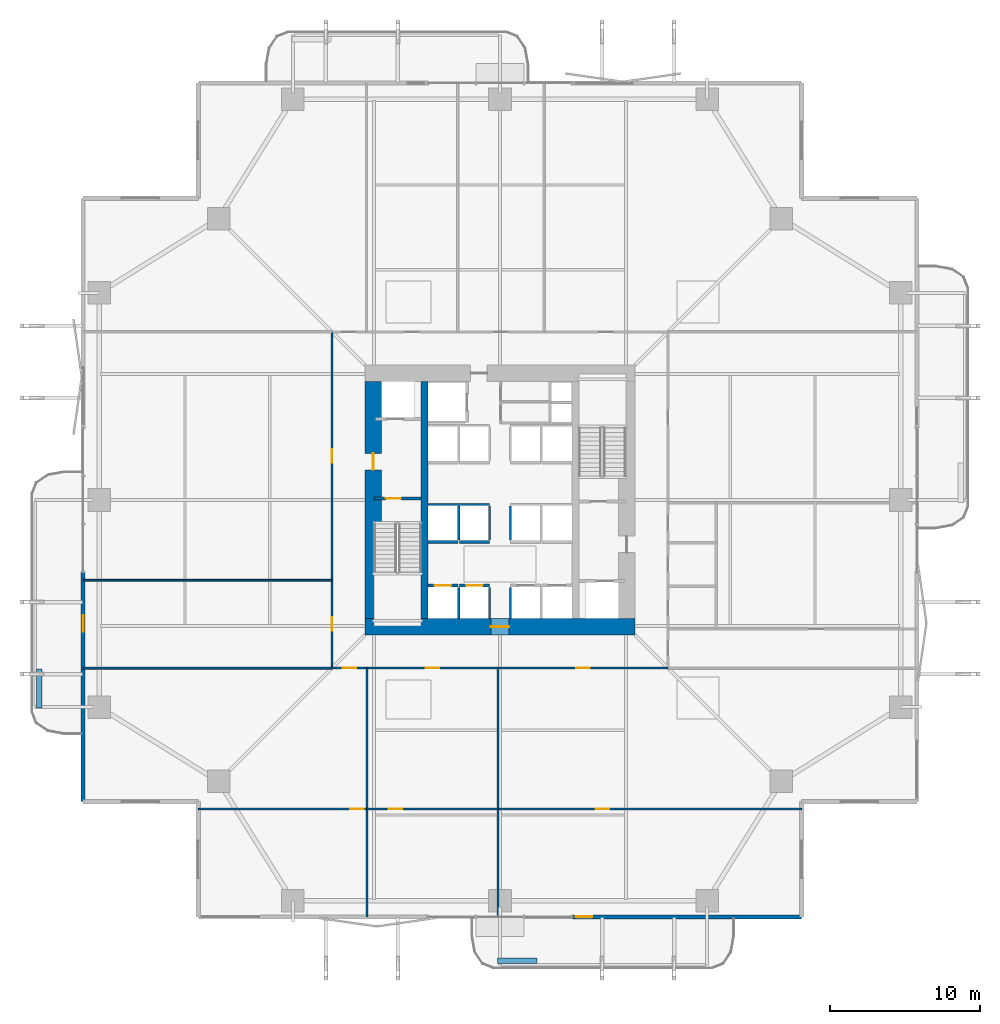
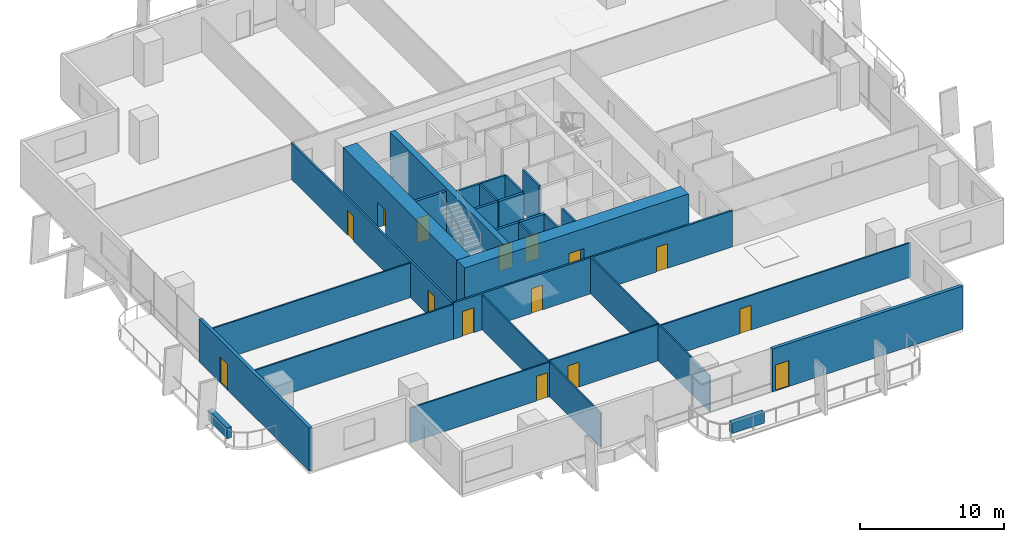
# One storey, part 17 of 24: 28 walls, 15 doors, 15 openings.
"""IFC4 building model written with IfcOpenShell, lengths in metres."""

from ifc_helpers import new_model, si_unit, direction, frame, frame_2d, origin, place, context, subcontext, project, spatial, rectangle, extrude, material, layer, layer_set, type_object, element, fill, save


model = new_model("IFC4")

# Units and contexts
model_context = context("Model", 3, precision=1e-05, world=origin(), true_north=direction((0.0, 1.0)))
body_context = subcontext(model_context, "Body", "Model", "MODEL_VIEW")
ifc_project = project(units=[si_unit("LENGTHUNIT", "METRE"), si_unit("AREAUNIT", "SQUARE_METRE"), si_unit("VOLUMEUNIT", "CUBIC_METRE"), si_unit("PLANEANGLEUNIT", "RADIAN"), si_unit("MASSUNIT", "GRAM", prefix="KILO")], contexts=[model_context])

# Site, building, storey
site_placement = place(None, origin())
site = spatial("IfcSite", under=ifc_project, at=site_placement, CompositionType="ELEMENT")
building_placement = place(site_placement, origin())
building = spatial("IfcBuilding", under=site, at=building_placement, Name="Belovzor Exchange Tower", CompositionType="ELEMENT")
storey_placement = place(building_placement, frame((0.0, 0.0, 33.89990234375)))
storey = spatial("IfcBuildingStorey", under=building, at=storey_placement, Name="L07", CompositionType="ELEMENT", Elevation=33.89990234375)

# Wall, opening, door
ifc_material_1 = material(Name="Acoustic Plasterboard on Galvanised Studs", Category="gypsum")
ifc_layer_1 = layer(ifc_material_1, 0.1201171875)
ifc_layer_set_1 = layer_set([ifc_layer_1], Name="Acoustic Plasterboard on Galvanised Studs")
wall_type_1 = type_object("IfcWallType", Name="Acoustic Double-Stud Partition Wall 120", PredefinedType="PARTITIONING", material=ifc_layer_set_1)
wall_1_placement = place(storey_placement, frame((8.699951171875, 8.2119140625, 0.0), z_axis=(0.0, 0.0, 1.0), x_axis=(1.0, 0.0, 0.0)))
wall_1 = element("IfcWall", 1, at=wall_1_placement, inside=storey, type_object=wall_type_1, Name="W-P120 Partition Wall W-L07-SHDIV-0", PredefinedType="PARTITIONING", context=body_context, shape_type="SweptSolid", body=[
    extrude(rectangle(XDim=11.239013671875, YDim=0.1201171875, at=frame_2d((5.61962890625, 0.0))), origin(), (0.0, 0.0, 1.0), 2.93505859375),
])
opening_1_placement = place(wall_1_placement, frame((10.138916015625, 0.0, 0.0)))
opening_1 = element("IfcOpeningElement", 2, at=opening_1_placement, cuts=wall_1, Name="Opening D-INT-090", PredefinedType="OPENING", context=body_context, shape_type="SweptSolid", body=[
    extrude(rectangle(XDim=0.89990234375, YDim=2.10009765625, at=frame_2d((0.449951171875, 1.050048828125))), frame((0.0, 0.070068359375, 0.0), z_axis=(0.0, -1.0, 0.0), x_axis=(1.0, 0.0, 0.0)), (0.0, 0.0, 1.0), 0.14013671875),
])
ifc_material_2 = material(Name="Veneered Hardwood Acoustic Leaf", Category="wood")
door_type_1 = type_object("IfcDoorType", Name="Trading Suite Acoustic Single Door 900x2100", OperationType="NOTDEFINED", PredefinedType="DOOR", material=ifc_material_2)
door_1_placement = place(opening_1_placement, origin())
door_1 = element("IfcDoor", 3, at=door_1_placement, inside=storey, type_object=door_type_1, Name="D-INT-090 Trading Suite Acoustic Single Door 900x2100", OperationType="SINGLE_SWING_LEFT", OverallHeight=2.10009765625, OverallWidth=0.89990234375, PredefinedType="DOOR", context=body_context, shape_type="SweptSolid", body=[
    extrude(rectangle(XDim=0.89990234375, YDim=2.10009765625, at=frame_2d((0.449951171875, 1.050048828125))), frame((0.0, 0.02490234375, 0.0), z_axis=(0.0, -1.0, 0.0), x_axis=(1.0, 0.0, 0.0)), (0.0, 0.0, 1.0), 0.050048828125),
])
fill(opening_1, door_1)

# Wall
wall_2_placement = place(storey_placement, frame((19.93896484375, 1.030029296875, 0.0), z_axis=(0.0, 0.0, 1.0), x_axis=(0.0, 1.0, 0.0)))
element("IfcWall", 4, at=wall_2_placement, inside=storey, type_object=wall_type_1, Name="W-P120 Partition Wall W-L07-SDIV-1", PredefinedType="PARTITIONING", context=body_context, shape_type="SweptSolid", body=[
    extrude(rectangle(XDim=16.570068359375, YDim=0.1201171875, at=frame_2d((8.28515625, 0.0))), origin(), (0.0, 0.0, 1.0), 2.93505859375),
])

# Wall, opening, door
wall_3_placement = place(storey_placement, frame((19.93896484375, 8.2119140625, 0.0), z_axis=(0.0, 0.0, 1.0), x_axis=(1.0, 0.0, 0.0)))
wall_3 = element("IfcWall", 5, at=wall_3_placement, inside=storey, type_object=wall_type_1, Name="W-P120 Partition Wall W-L07-SHDIV-1", PredefinedType="PARTITIONING", context=body_context, shape_type="SweptSolid", body=[
    extrude(rectangle(XDim=8.73095703125, YDim=0.1201171875, at=frame_2d((4.365478515625, 0.0))), origin(), (0.0, 0.0, 1.0), 3.085205078125),
])
opening_2_placement = place(wall_3_placement, frame((1.43896484375, 0.0, 0.0)))
opening_2 = element("IfcOpeningElement", 6, at=opening_2_placement, cuts=wall_3, Name="Opening D-INT-090", PredefinedType="OPENING", context=body_context, shape_type="SweptSolid", body=[
    extrude(rectangle(XDim=0.89990234375, YDim=2.10009765625, at=frame_2d((0.449951171875, 1.050048828125))), frame((0.0, 0.070068359375, 0.0), z_axis=(0.0, -1.0, 0.0), x_axis=(1.0, 0.0, 0.0)), (0.0, 0.0, 1.0), 0.14013671875),
])
door_2_placement = place(opening_2_placement, origin())
door_2 = element("IfcDoor", 7, at=door_2_placement, inside=storey, type_object=door_type_1, Name="D-INT-090 Trading Suite Acoustic Single Door 900x2100", OperationType="SINGLE_SWING_LEFT", OverallHeight=2.10009765625, OverallWidth=0.89990234375, PredefinedType="DOOR", context=body_context, shape_type="SweptSolid", body=[
    extrude(rectangle(XDim=0.89990234375, YDim=2.10009765625, at=frame_2d((0.449951171875, 1.050048828125))), frame((0.0, 0.02490234375, 0.0), z_axis=(0.0, -1.0, 0.0), x_axis=(1.0, 0.0, 0.0)), (0.0, 0.0, 1.0), 0.050048828125),
])
fill(opening_2, door_2)

# Wall
wall_4_placement = place(storey_placement, frame((28.669921875, 1.030029296875, 0.0), z_axis=(0.0, 0.0, 1.0), x_axis=(0.0, 1.0, 0.0)))
element("IfcWall", 8, at=wall_4_placement, inside=storey, type_object=wall_type_1, Name="W-P120 Partition Wall W-L07-SDIV-2", PredefinedType="PARTITIONING", context=body_context, shape_type="SweptSolid", body=[
    extrude(rectangle(XDim=16.570068359375, YDim=0.1201171875, at=frame_2d((8.28515625, 0.0))), origin(), (0.0, 0.0, 1.0), 3.085205078125),
])

# Wall, opening, door
wall_5_placement = place(storey_placement, frame((28.669921875, 8.2119140625, 0.0), z_axis=(0.0, 0.0, 1.0), x_axis=(1.0, 0.0, 0.0)))
wall_5 = element("IfcWall", 9, at=wall_5_placement, inside=storey, type_object=wall_type_1, Name="W-P120 Partition Wall W-L07-SHDIV-2", PredefinedType="PARTITIONING", context=body_context, shape_type="SweptSolid", body=[
    extrude(rectangle(XDim=20.22998046875, YDim=0.1201171875, at=frame_2d((10.114990234375, 0.0))), origin(), (0.0, 0.0, 1.0), 2.93505859375),
])
opening_3_placement = place(wall_5_placement, frame((6.510009765625, 0.0, 0.0)))
opening_3 = element("IfcOpeningElement", 10, at=opening_3_placement, cuts=wall_5, Name="Opening D-INT-090", PredefinedType="OPENING", context=body_context, shape_type="SweptSolid", body=[
    extrude(rectangle(XDim=0.89990234375, YDim=2.10009765625, at=frame_2d((0.449951171875, 1.050048828125))), frame((0.0, 0.070068359375, 0.0), z_axis=(0.0, -1.0, 0.0), x_axis=(1.0, 0.0, 0.0)), (0.0, 0.0, 1.0), 0.14013671875),
])
door_3_placement = place(opening_3_placement, origin())
door_3 = element("IfcDoor", 11, at=door_3_placement, inside=storey, type_object=door_type_1, Name="D-INT-090 Trading Suite Acoustic Single Door 900x2100", OperationType="SINGLE_SWING_LEFT", OverallHeight=2.10009765625, OverallWidth=0.89990234375, PredefinedType="DOOR", context=body_context, shape_type="SweptSolid", body=[
    extrude(rectangle(XDim=0.89990234375, YDim=2.10009765625, at=frame_2d((0.449951171875, 1.050048828125))), frame((0.0, 0.02490234375, 0.0), z_axis=(0.0, -1.0, 0.0), x_axis=(1.0, 0.0, 0.0)), (0.0, 0.0, 1.0), 0.050048828125),
])
fill(opening_3, door_3)

# Walls
for number, where, z_axis, x_axis, name in (
    (12, (1.030029296875, 17.60009765625, 0.0), (0.0, 0.0, 1.0), (1.0, 0.0, 0.0), "W-P120 Partition Wall W-L07-END-SW"),
    (13, (1.030029296875, 23.4599609375, 0.0), (0.0, 0.0, 1.0), (1.0, 0.0, 0.0), "W-P120 Partition Wall W-L07-WDIV-1"),
):
    element("IfcWall", number, at=place(storey_placement, frame(where, z_axis=z_axis, x_axis=x_axis)), inside=storey, type_object=wall_type_1, Name=name, PredefinedType="PARTITIONING", context=body_context, shape_type="SweptSolid", body=[
        extrude(rectangle(XDim=16.570068359375, YDim=0.1201171875, at=frame_2d((8.28515625, 0.0))), origin(), (0.0, 0.0, 1.0), 2.93505859375),
    ])

# Wall, openings, doors
ifc_material_3 = material(Name="Fire-Rated Gypsum Block and Mineral Wool", Category="gypsum")
ifc_layer_2 = layer(ifc_material_3, 0.14990234375)
ifc_layer_set_2 = layer_set([ifc_layer_2], Name="Fire-Rated Gypsum Block and Mineral Wool")
wall_type_2 = type_object("IfcWallType", Name="Fire-Rated Gypsum Block Corridor Wall 150", PredefinedType="PARTITIONING", material=ifc_layer_set_2)
wall_6_placement = place(storey_placement, frame((17.60009765625, 17.60009765625, 0.0), z_axis=(0.0, 0.0, 1.0), x_axis=(1.0, 0.0, 0.0)))
wall_6 = element("IfcWall", 14, at=wall_6_placement, inside=storey, type_object=wall_type_2, Name="W-P150 Partition Wall W-L07-CS", PredefinedType="PARTITIONING", context=body_context, shape_type="SweptSolid", body=[
    extrude(rectangle(XDim=22.39990234375, YDim=0.14990234375, at=frame_2d((11.199951171875, 0.0))), origin(), (0.0, 0.0, 1.0), 3.085205078125),
])
opening_4_placement = place(wall_6_placement, frame((0.719970703125, 0.0, 0.0)))
opening_4 = element("IfcOpeningElement", 15, at=opening_4_placement, cuts=wall_6, Name="Opening D-INT-090", PredefinedType="OPENING", context=body_context, shape_type="SweptSolid", body=[
    extrude(rectangle(XDim=0.89990234375, YDim=2.10009765625, at=frame_2d((0.449951171875, 1.050048828125))), frame((0.0, 0.0849609375, 0.0), z_axis=(0.0, -1.0, 0.0), x_axis=(1.0, 0.0, 0.0)), (0.0, 0.0, 1.0), 0.169921875),
])
opening_5_placement = place(wall_6_placement, frame((6.2548828125, 0.0, 0.0)))
opening_5 = element("IfcOpeningElement", 16, at=opening_5_placement, cuts=wall_6, Name="Opening D-INT-090", PredefinedType="OPENING", context=body_context, shape_type="SweptSolid", body=[
    extrude(rectangle(XDim=0.89990234375, YDim=2.10009765625, at=frame_2d((0.449951171875, 1.050048828125))), frame((0.0, 0.0849609375, 0.0), z_axis=(0.0, -1.0, 0.0), x_axis=(1.0, 0.0, 0.0)), (0.0, 0.0, 1.0), 0.169921875),
])
opening_6_placement = place(wall_6_placement, frame((16.284912109375, 0.0, 0.0)))
opening_6 = element("IfcOpeningElement", 17, at=opening_6_placement, cuts=wall_6, Name="Opening D-INT-090", PredefinedType="OPENING", context=body_context, shape_type="SweptSolid", body=[
    extrude(rectangle(XDim=0.89990234375, YDim=2.10009765625, at=frame_2d((0.449951171875, 1.050048828125))), frame((0.0, 0.0849609375, 0.0), z_axis=(0.0, -1.0, 0.0), x_axis=(1.0, 0.0, 0.0)), (0.0, 0.0, 1.0), 0.169921875),
])
door_4_placement = place(opening_4_placement, origin())
door_4 = element("IfcDoor", 18, at=door_4_placement, inside=storey, type_object=door_type_1, Name="D-INT-090 Trading Suite Acoustic Single Door 900x2100", OperationType="SINGLE_SWING_RIGHT", OverallHeight=2.10009765625, OverallWidth=0.89990234375, PredefinedType="DOOR", context=body_context, shape_type="SweptSolid", body=[
    extrude(rectangle(XDim=0.89990234375, YDim=2.10009765625, at=frame_2d((0.449951171875, 1.050048828125))), frame((0.0, 0.02490234375, 0.0), z_axis=(0.0, -1.0, 0.0), x_axis=(1.0, 0.0, 0.0)), (0.0, 0.0, 1.0), 0.050048828125),
])
fill(opening_4, door_4)
door_5_placement = place(opening_5_placement, origin())
door_5 = element("IfcDoor", 19, at=door_5_placement, inside=storey, type_object=door_type_1, Name="D-INT-090 Trading Suite Acoustic Single Door 900x2100", OperationType="SINGLE_SWING_LEFT", OverallHeight=2.10009765625, OverallWidth=0.89990234375, PredefinedType="DOOR", context=body_context, shape_type="SweptSolid", body=[
    extrude(rectangle(XDim=0.89990234375, YDim=2.10009765625, at=frame_2d((0.449951171875, 1.050048828125))), frame((0.0, 0.02490234375, 0.0), z_axis=(0.0, -1.0, 0.0), x_axis=(1.0, 0.0, 0.0)), (0.0, 0.0, 1.0), 0.050048828125),
])
fill(opening_5, door_5)
door_6_placement = place(opening_6_placement, origin())
door_6 = element("IfcDoor", 20, at=door_6_placement, inside=storey, type_object=door_type_1, Name="D-INT-090 Trading Suite Acoustic Single Door 900x2100", OperationType="SINGLE_SWING_RIGHT", OverallHeight=2.10009765625, OverallWidth=0.89990234375, PredefinedType="DOOR", context=body_context, shape_type="SweptSolid", body=[
    extrude(rectangle(XDim=0.89990234375, YDim=2.10009765625, at=frame_2d((0.449951171875, 1.050048828125))), frame((0.0, 0.02490234375, 0.0), z_axis=(0.0, -1.0, 0.0), x_axis=(1.0, 0.0, 0.0)), (0.0, 0.0, 1.0), 0.050048828125),
])
fill(opening_6, door_6)

wall_7_placement = place(storey_placement, frame((17.60009765625, 17.60009765625, 0.0), z_axis=(0.0, 0.0, 1.0), x_axis=(0.0, 1.0, 0.0)))
wall_7 = element("IfcWall", 21, at=wall_7_placement, inside=storey, type_object=wall_type_2, Name="W-P150 Partition Wall W-L07-CW", PredefinedType="PARTITIONING", context=body_context, shape_type="SweptSolid", body=[
    extrude(rectangle(XDim=22.39990234375, YDim=0.14990234375, at=frame_2d((11.199951171875, 0.0))), origin(), (0.0, 0.0, 1.0), 3.085205078125),
])
opening_7_placement = place(wall_7_placement, frame((2.47998046875, 0.0, 0.0)))
opening_7 = element("IfcOpeningElement", 22, at=opening_7_placement, cuts=wall_7, Name="Opening D-INT-090", PredefinedType="OPENING", context=body_context, shape_type="SweptSolid", body=[
    extrude(rectangle(XDim=0.89990234375, YDim=2.10009765625, at=frame_2d((0.449951171875, 1.050048828125))), frame((0.0, 0.0849609375, 0.0), z_axis=(0.0, -1.0, 0.0), x_axis=(1.0, 0.0, 0.0)), (0.0, 0.0, 1.0), 0.169921875),
])
opening_8_placement = place(wall_7_placement, frame((13.679931640625, 0.0, 0.0)))
opening_8 = element("IfcOpeningElement", 23, at=opening_8_placement, cuts=wall_7, Name="Opening D-INT-090", PredefinedType="OPENING", context=body_context, shape_type="SweptSolid", body=[
    extrude(rectangle(XDim=0.89990234375, YDim=2.10009765625, at=frame_2d((0.449951171875, 1.050048828125))), frame((0.0, 0.0849609375, 0.0), z_axis=(0.0, -1.0, 0.0), x_axis=(1.0, 0.0, 0.0)), (0.0, 0.0, 1.0), 0.169921875),
])
door_7_placement = place(opening_7_placement, origin())
door_7 = element("IfcDoor", 24, at=door_7_placement, inside=storey, type_object=door_type_1, Name="D-INT-090 Trading Suite Acoustic Single Door 900x2100", OperationType="SINGLE_SWING_RIGHT", OverallHeight=2.10009765625, OverallWidth=0.89990234375, PredefinedType="DOOR", context=body_context, shape_type="SweptSolid", body=[
    extrude(rectangle(XDim=0.89990234375, YDim=2.10009765625, at=frame_2d((0.449951171875, 1.050048828125))), frame((0.0, 0.02490234375, 0.0), z_axis=(0.0, -1.0, 0.0), x_axis=(1.0, 0.0, 0.0)), (0.0, 0.0, 1.0), 0.050048828125),
])
fill(opening_7, door_7)
door_8_placement = place(opening_8_placement, origin())
door_8 = element("IfcDoor", 25, at=door_8_placement, inside=storey, type_object=door_type_1, Name="D-INT-090 Trading Suite Acoustic Single Door 900x2100", OperationType="SINGLE_SWING_LEFT", OverallHeight=2.10009765625, OverallWidth=0.89990234375, PredefinedType="DOOR", context=body_context, shape_type="SweptSolid", body=[
    extrude(rectangle(XDim=0.89990234375, YDim=2.10009765625, at=frame_2d((0.449951171875, 1.050048828125))), frame((0.0, 0.02490234375, 0.0), z_axis=(0.0, -1.0, 0.0), x_axis=(1.0, 0.0, 0.0)), (0.0, 0.0, 1.0), 0.050048828125),
])
fill(opening_8, door_8)

# Wall, opening, door
ifc_material_4 = material(Name="Precast concrete C40/50", Category="concrete")
ifc_layer_3 = layer(ifc_material_4, 0.260009765625)
ifc_layer_set_3 = layer_set([ifc_layer_3], Name="Precast concrete C40/50")
wall_type_3 = type_object("IfcWallType", Name="Precast Concrete Perimeter Loggia Frame Wall 260", PredefinedType="SOLIDWALL", material=ifc_layer_set_3)
wall_8_placement = place(storey_placement, frame((48.89990234375, 1.030029296875, 0.0), z_axis=(0.0, 0.0, 1.0), x_axis=(-1.0, 0.0, 0.0)))
wall_8 = element("IfcWall", 26, at=wall_8_placement, inside=storey, type_object=wall_type_3, Name="W-EXT260 Precast Concrete Perimeter Loggia Frame Wall 260 L07", PredefinedType="SOLIDWALL", context=body_context, shape_type="SweptSolid", body=[
    extrude(rectangle(XDim=15.2998046875, YDim=0.260009765625, at=frame_2d((7.64990234375, 0.0))), origin(), (0.0, 0.0, 1.0), 3.650146484375),
])
opening_9_placement = place(wall_8_placement, frame((13.949951171875, 0.0, 0.0)))
opening_9 = element("IfcOpeningElement", 27, at=opening_9_placement, cuts=wall_8, Name="Opening D-BAL110", PredefinedType="OPENING", context=body_context, shape_type="SweptSolid", body=[
    extrude(rectangle(XDim=1.10009765625, YDim=2.199951171875, at=frame_2d((0.550048828125, 1.10009765625))), frame((0.0, 0.139892578125, 0.0), z_axis=(0.0, -1.0, 0.0), x_axis=(1.0, 0.0, 0.0)), (0.0, 0.0, 1.0), 0.280029296875),
])
ifc_material_5 = material(Name="Thermally Broken Anodised Aluminium and Laminated Glass", Category="aluminium")
door_type_2 = type_object("IfcDoorType", Name="Planted Loggia Terrace Glazed Door 1100x2200", OperationType="SINGLE_SWING_LEFT", PredefinedType="DOOR", material=ifc_material_5)
door_9_placement = place(opening_9_placement, origin())
door_9 = element("IfcDoor", 28, at=door_9_placement, inside=storey, type_object=door_type_2, Name="D-BAL110 Balcony Terrace Door L07 S", OperationType="SINGLE_SWING_LEFT", OverallHeight=2.199951171875, OverallWidth=1.10009765625, PredefinedType="DOOR", context=body_context, shape_type="SweptSolid", body=[
    extrude(rectangle(XDim=1.10009765625, YDim=2.199951171875, at=frame_2d((0.550048828125, 1.10009765625))), frame((0.0, 0.02490234375, 0.0), z_axis=(0.0, -1.0, 0.0), x_axis=(1.0, 0.0, 0.0)), (0.0, 0.0, 1.0), 0.050048828125),
])
fill(opening_9, door_9)

wall_9_placement = place(storey_placement, frame((1.030029296875, 8.699951171875, 0.0), z_axis=(0.0, 0.0, 1.0), x_axis=(0.0, 1.0, 0.0)))
wall_9 = element("IfcWall", 29, at=wall_9_placement, inside=storey, type_object=wall_type_3, Name="W-EXT260 Precast Concrete Perimeter Loggia Frame Wall 260 L07", PredefinedType="SOLIDWALL", context=body_context, shape_type="SweptSolid", body=[
    extrude(rectangle(XDim=15.300048828125, YDim=0.260009765625, at=frame_2d((7.64990234375, 0.0))), origin(), (0.0, 0.0, 1.0), 3.650146484375),
])
opening_10_placement = place(wall_9_placement, frame((11.319091796875, 0.0, 0.0)))
opening_10 = element("IfcOpeningElement", 30, at=opening_10_placement, cuts=wall_9, Name="Opening D-BAL110", PredefinedType="OPENING", context=body_context, shape_type="SweptSolid", body=[
    extrude(rectangle(XDim=1.10009765625, YDim=2.199951171875, at=frame_2d((0.550048828125, 1.10009765625))), frame((0.0, 0.139892578125, 0.0), z_axis=(0.0, -1.0, 0.0), x_axis=(1.0, 0.0, 0.0)), (0.0, 0.0, 1.0), 0.280029296875),
])
door_10_placement = place(opening_10_placement, origin())
door_10 = element("IfcDoor", 31, at=door_10_placement, inside=storey, type_object=door_type_2, Name="D-BAL110 Balcony Terrace Door L07 W", OperationType="SINGLE_SWING_RIGHT", OverallHeight=2.199951171875, OverallWidth=1.10009765625, PredefinedType="DOOR", context=body_context, shape_type="SweptSolid", body=[
    extrude(rectangle(XDim=1.10009765625, YDim=2.199951171875, at=frame_2d((0.550048828125, 1.10009765625))), frame((0.0, 0.02490234375, 0.0), z_axis=(0.0, -1.0, 0.0), x_axis=(1.0, 0.0, 0.0)), (0.0, 0.0, 1.0), 0.050048828125),
])
fill(opening_10, door_10)

# Walls
ifc_material_6 = material(Name="Precast concrete C40/50", Category="concrete")
ifc_layer_4 = layer(ifc_material_6, 0.35009765625)
ifc_layer_set_4 = layer_set([ifc_layer_4], Name="Precast concrete C40/50")
wall_type_4 = type_object("IfcWallType", Name="Precast Concrete Structural Tree Planter Trough 350", PredefinedType="PARAPET", material=ifc_layer_set_4)
for number, where, z_axis, x_axis, name in (
    (32, (28.64990234375, -1.89990234375, 0.0), (0.0, 0.0, 1.0), (1.0, 0.0, 0.0), "PT-350 Precast Concrete Structural Tree Planter Trough 350 L07"),
    (33, (-1.89990234375, 14.949951171875, 0.0), (0.0, 0.0, 1.0), (0.0, 1.0, 0.0), "PT-350 Precast Concrete Structural Tree Planter Trough 350 L07"),
):
    element("IfcWall", number, at=place(storey_placement, frame(where, z_axis=z_axis, x_axis=x_axis)), inside=storey, type_object=wall_type_4, Name=name, PredefinedType="PARAPET", context=body_context, shape_type="SweptSolid", body=[
        extrude(rectangle(XDim=2.60009765625, YDim=0.35009765625, at=frame_2d((1.300048828125, 0.0))), origin(), (0.0, 0.0, 1.0), 0.900146484375),
    ])
ifc_material_7 = material(Name="Concrete C50/60", Category="concrete")
ifc_layer_5 = layer(ifc_material_7, 0.449951171875)
ifc_layer_set_5 = layer_set([ifc_layer_5], Name="Concrete C50/60")
wall_type_5 = type_object("IfcWallType", Name="Reinforced Concrete Core Internal Web Wall 450", PredefinedType="SHEAR", material=ifc_layer_set_5)
wall_10_placement = place(storey_placement, frame((23.77490234375, 20.89990234375, 0.0), z_axis=(0.0, 0.0, 1.0), x_axis=(0.0, 1.0, 0.0)))
element("IfcWall", 34, at=wall_10_placement, inside=storey, type_object=wall_type_5, Name="CW-W045 Core Internal Web Wall L07 WL", PredefinedType="SHEAR", context=body_context, shape_type="SweptSolid", body=[
    extrude(rectangle(XDim=15.800048828125, YDim=0.449951171875, at=frame_2d((7.89990234375, 0.0))), origin(), (0.0, 0.0, 1.0), 3.900146484375),
])
ifc_material_8 = material(Name="Concrete C50/60", Category="concrete")
ifc_layer_6 = layer(ifc_material_8, 0.14990234375)
ifc_layer_set_6 = layer_set([ifc_layer_6], Name="Concrete C50/60")
wall_type_6 = type_object("IfcWallType", Name="Reinforced Concrete Core Riser Shear Wall 150", PredefinedType="SHEAR", material=ifc_layer_set_6)
for number, where, z_axis, x_axis, name in (
    (35, (26.050048828125, 20.919921875, 0.0), (0.0, 0.0, 1.0), (0.0, 1.0, 0.0), "W-C150S Core Shaft Wall W-SHD-L07-PLL-1"),
    (36, (28.10009765625, 20.919921875, 0.0), (0.0, 0.0, 1.0), (0.0, 1.0, 0.0), "W-C150S Core Shaft Wall W-SHD-L07-PLL-2"),
    (37, (29.5, 20.919921875, 0.0), (0.0, 0.0, 1.0), (0.0, 1.0, 0.0), "W-C150S Core Shaft Wall W-SHD-L07-PLL-3"),
):
    element("IfcWall", number, at=place(storey_placement, frame(where, z_axis=z_axis, x_axis=x_axis)), inside=storey, type_object=wall_type_6, Name=name, PredefinedType="SHEAR", context=body_context, shape_type="SweptSolid", body=[
        extrude(rectangle(XDim=2.06005859375, YDim=0.14990234375, at=frame_2d((1.030029296875, 0.0))), origin(), (0.0, 0.0, 1.0), 3.650146484375),
    ])
wall_11_placement = place(storey_placement, frame((24.02001953125, 28.5, 0.0), z_axis=(0.0, 0.0, 1.0), x_axis=(1.0, 0.0, 0.0)))
element("IfcWall", 38, at=wall_11_placement, inside=storey, type_object=wall_type_6, Name="W-C150S Core Shaft Wall W-SHB-L07-PLM-NW", PredefinedType="SHEAR", context=body_context, shape_type="SweptSolid", body=[
    extrude(rectangle(XDim=4.080078125, YDim=0.14990234375, at=frame_2d((2.0400390625, 0.0))), origin(), (0.0, 0.0, 1.0), 3.650146484375),
])
for number, where, z_axis, x_axis, name in (
    (39, (26.050048828125, 26.1201171875, 0.0), (0.0, 0.0, 1.0), (0.0, 1.0, 0.0), "W-C150S Core Shaft Wall W-SHD-L07-PLM-1"),
    (40, (28.10009765625, 26.1201171875, 0.0), (0.0, 0.0, 1.0), (0.0, 1.0, 0.0), "W-C150S Core Shaft Wall W-SHD-L07-PLM-2"),
    (41, (29.5, 26.1201171875, 0.0), (0.0, 0.0, 1.0), (0.0, 1.0, 0.0), "W-C150S Core Shaft Wall W-SHD-L07-PLM-3"),
):
    element("IfcWall", number, at=place(storey_placement, frame(where, z_axis=z_axis, x_axis=x_axis)), inside=storey, type_object=wall_type_6, Name=name, PredefinedType="SHEAR", context=body_context, shape_type="SweptSolid", body=[
        extrude(rectangle(XDim=2.27978515625, YDim=0.14990234375, at=frame_2d((1.139892578125, 0.0))), origin(), (0.0, 0.0, 1.0), 3.650146484375),
    ])

# Wall, opening, door
ifc_material_9 = material(Name="Concrete C50/60", Category="concrete")
ifc_layer_7 = layer(ifc_material_9, 0.199951171875)
ifc_layer_set_7 = layer_set([ifc_layer_7], Name="Concrete C50/60")
wall_type_7 = type_object("IfcWallType", Name="Reinforced Concrete Core Shaft Shear Wall 200", PredefinedType="SHEAR", material=ifc_layer_set_7)
wall_12_placement = place(storey_placement, frame((20.39990234375, 28.89990234375, 0.0), z_axis=(0.0, 0.0, 1.0), x_axis=(1.0, 0.0, 0.0)))
wall_12 = element("IfcWall", 42, at=wall_12_placement, inside=storey, type_object=wall_type_7, Name="W-C200S Core Shaft Wall W-CORE-L07-FFLW1", PredefinedType="SHEAR", context=body_context, shape_type="SweptSolid", body=[
    extrude(rectangle(XDim=3.150146484375, YDim=0.199951171875, at=frame_2d((1.5751953125, 0.0))), origin(), (0.0, 0.0, 1.0), 3.650146484375),
])
opening_11_placement = place(wall_12_placement, frame((0.800048828125, 0.0, 0.0)))
opening_11 = element("IfcOpeningElement", 43, at=opening_11_placement, cuts=wall_12, Name="Opening D-FD90-100", PredefinedType="OPENING", context=body_context, shape_type="SweptSolid", body=[
    extrude(rectangle(XDim=1.0, YDim=2.10009765625, at=frame_2d((0.5, 1.050048828125))), frame((0.0, 0.10986328125, 0.0), z_axis=(0.0, -1.0, 0.0), x_axis=(1.0, 0.0, 0.0)), (0.0, 0.0, 1.0), 0.219970703125),
])
ifc_material_10 = material(Name="Fire-Rated Galvanised Steel Leaf", Category="steel")
door_type_3 = type_object("IfcDoorType", Name="Protected Stairwell Single Fire Door 1000x2100", OperationType="NOTDEFINED", PredefinedType="DOOR", material=ifc_material_10)
door_11_placement = place(opening_11_placement, origin())
door_11 = element("IfcDoor", 44, at=door_11_placement, inside=storey, type_object=door_type_3, Name="D-FD90-100 Protected Stairwell Single Fire Door 1000x2100", OperationType="SINGLE_SWING_RIGHT", OverallHeight=2.10009765625, OverallWidth=1.0, PredefinedType="DOOR", context=body_context, shape_type="SweptSolid", body=[
    extrude(rectangle(XDim=1.0, YDim=2.10009765625, at=frame_2d((0.5, 1.050048828125))), frame((0.0, 0.02490234375, 0.0), z_axis=(0.0, -1.0, 0.0), x_axis=(1.0, 0.0, 0.0)), (0.0, 0.0, 1.0), 0.050048828125),
])
fill(opening_11, door_11)

wall_13_placement = place(storey_placement, frame((24.0, 23.10009765625, 0.0), z_axis=(0.0, 0.0, 1.0), x_axis=(1.0, 0.0, 0.0)))
wall_13 = element("IfcWall", 45, at=wall_13_placement, inside=storey, type_object=wall_type_7, Name="W-C200S Core Shaft Wall W-SH-L07-PL-L1", PredefinedType="SHEAR", context=body_context, shape_type="SweptSolid", body=[
    extrude(rectangle(XDim=2.0, YDim=0.199951171875, at=frame_2d((1.0, 0.0))), origin(), (0.0, 0.0, 1.0), 3.650146484375),
])
opening_12_placement = place(wall_13_placement, frame((0.449951171875, 0.0, 0.0)))
opening_12 = element("IfcOpeningElement", 46, at=opening_12_placement, cuts=wall_13, Name="Opening LD-110", PredefinedType="OPENING", context=body_context, shape_type="SweptSolid", body=[
    extrude(rectangle(XDim=1.10009765625, YDim=2.14990234375, at=frame_2d((0.550048828125, 1.074951171875))), frame((0.0, 0.10986328125, 0.0), z_axis=(0.0, -1.0, 0.0), x_axis=(1.0, 0.0, 0.0)), (0.0, 0.0, 1.0), 0.219970703125),
])
ifc_material_11 = material(Name="Stainless Steel Grade 304", Category="steel")
door_type_4 = type_object("IfcDoorType", Name="Automated Stainless Steel Lift Landing Door 1100x2150", OperationType="SLIDING_TO_RIGHT", PredefinedType="DOOR", material=ifc_material_11)
door_12_placement = place(opening_12_placement, origin())
door_12 = element("IfcDoor", 47, at=door_12_placement, inside=storey, type_object=door_type_4, Name="LD-110 Automated Stainless Steel Lift Landing Door 1100x2150", OperationType="SLIDING_TO_RIGHT", OverallHeight=2.14990234375, OverallWidth=1.10009765625, PredefinedType="DOOR", context=body_context, shape_type="SweptSolid", body=[
    extrude(rectangle(XDim=1.10009765625, YDim=2.14990234375, at=frame_2d((0.550048828125, 1.074951171875))), frame((0.0, 0.02490234375, 0.0), z_axis=(0.0, -1.0, 0.0), x_axis=(1.0, 0.0, 0.0)), (0.0, 0.0, 1.0), 0.050048828125),
])
fill(opening_12, door_12)

wall_14_placement = place(storey_placement, frame((26.10009765625, 23.10009765625, 0.0), z_axis=(0.0, 0.0, 1.0), x_axis=(1.0, 0.0, 0.0)))
wall_14 = element("IfcWall", 48, at=wall_14_placement, inside=storey, type_object=wall_type_7, Name="W-C200S Core Shaft Wall W-SH-L07-PL-L2", PredefinedType="SHEAR", context=body_context, shape_type="SweptSolid", body=[
    extrude(rectangle(XDim=2.0, YDim=0.199951171875, at=frame_2d((1.0, 0.0))), origin(), (0.0, 0.0, 1.0), 3.650146484375),
])
opening_13_placement = place(wall_14_placement, frame((0.449951171875, 0.0, 0.0)))
opening_13 = element("IfcOpeningElement", 49, at=opening_13_placement, cuts=wall_14, Name="Opening LD-110", PredefinedType="OPENING", context=body_context, shape_type="SweptSolid", body=[
    extrude(rectangle(XDim=1.10009765625, YDim=2.14990234375, at=frame_2d((0.550048828125, 1.074951171875))), frame((0.0, 0.10986328125, 0.0), z_axis=(0.0, -1.0, 0.0), x_axis=(1.0, 0.0, 0.0)), (0.0, 0.0, 1.0), 0.219970703125),
])
door_13_placement = place(opening_13_placement, origin())
door_13 = element("IfcDoor", 50, at=door_13_placement, inside=storey, type_object=door_type_4, Name="LD-110 Automated Stainless Steel Lift Landing Door 1100x2150", OperationType="SLIDING_TO_RIGHT", OverallHeight=2.14990234375, OverallWidth=1.10009765625, PredefinedType="DOOR", context=body_context, shape_type="SweptSolid", body=[
    extrude(rectangle(XDim=1.10009765625, YDim=2.14990234375, at=frame_2d((0.550048828125, 1.074951171875))), frame((0.0, 0.02490234375, 0.0), z_axis=(0.0, -1.0, 0.0), x_axis=(1.0, 0.0, 0.0)), (0.0, 0.0, 1.0), 0.050048828125),
])
fill(opening_13, door_13)

# Walls
for number, where, z_axis, x_axis, name in (
    (51, (24.0, 26.0, 0.0), (0.0, 0.0, 1.0), (1.0, 0.0, 0.0), "W-C200S Core Shaft Wall W-SH-L07-PL-M1"),
    (52, (26.10009765625, 26.0, 0.0), (0.0, 0.0, 1.0), (1.0, 0.0, 0.0), "W-C200S Core Shaft Wall W-SH-L07-PL-M2"),
):
    element("IfcWall", number, at=place(storey_placement, frame(where, z_axis=z_axis, x_axis=x_axis)), inside=storey, type_object=wall_type_7, Name=name, PredefinedType="SHEAR", context=body_context, shape_type="SweptSolid", body=[
        extrude(rectangle(XDim=2.0, YDim=0.199951171875, at=frame_2d((1.0, 0.0))), origin(), (0.0, 0.0, 1.0), 3.650146484375),
    ])

# Wall, opening, door
ifc_material_12 = material(Name="Concrete C60/75", Category="concrete")
ifc_layer_8 = layer(ifc_material_12, 1.10009765625)
ifc_layer_set_8 = layer_set([ifc_layer_8], Name="Concrete C60/75")
wall_type_8 = type_object("IfcWallType", Name="Reinforced Concrete Core Shear Wall 1100", PredefinedType="SHEAR", material=ifc_layer_set_8)
wall_15_placement = place(storey_placement, frame((19.800048828125, 20.35009765625, 0.0), z_axis=(0.0, 0.0, 1.0), x_axis=(1.0, 0.0, 0.0)))
wall_15 = element("IfcWall", 53, at=wall_15_placement, inside=storey, type_object=wall_type_8, Name="CW-S110 Core Shear Wall L07 S", PredefinedType="SHEAR", context=body_context, shape_type="SweptSolid", body=[
    extrude(rectangle(XDim=18.0, YDim=1.10009765625, at=frame_2d((9.0, 0.0))), origin(), (0.0, 0.0, 1.0), 3.900146484375),
])
opening_14_placement = place(wall_15_placement, frame((8.39990234375, 0.0, 0.0)))
opening_14 = element("IfcOpeningElement", 54, at=opening_14_placement, cuts=wall_15, Name="Opening D-FD90-120", PredefinedType="OPENING", context=body_context, shape_type="SweptSolid", body=[
    extrude(rectangle(XDim=1.199951171875, YDim=2.199951171875, at=frame_2d((0.60009765625, 1.10009765625))), frame((0.0, 0.56005859375, 0.0), z_axis=(0.0, -1.0, 0.0), x_axis=(1.0, 0.0, 0.0)), (0.0, 0.0, 1.0), 1.1201171875),
])
ifc_material_13 = material(Name="Fire-Rated Galvanised Steel Leaf", Category="steel")
door_type_5 = type_object("IfcDoorType", Name="Heavy Plant & Foyer Fire Door 1200x2200", OperationType="NOTDEFINED", PredefinedType="DOOR", material=ifc_material_13)
door_14_placement = place(opening_14_placement, origin())
door_14 = element("IfcDoor", 55, at=door_14_placement, inside=storey, type_object=door_type_5, Name="D-FD90-120 Heavy Plant & Foyer Fire Door 1200x2200", OperationType="SINGLE_SWING_LEFT", OverallHeight=2.199951171875, OverallWidth=1.199951171875, PredefinedType="DOOR", context=body_context, shape_type="SweptSolid", body=[
    extrude(rectangle(XDim=1.199951171875, YDim=2.199951171875, at=frame_2d((0.60009765625, 1.10009765625))), frame((0.0, 0.02490234375, 0.0), z_axis=(0.0, -1.0, 0.0), x_axis=(1.0, 0.0, 0.0)), (0.0, 0.0, 1.0), 0.050048828125),
])
fill(opening_14, door_14)

wall_16_placement = place(storey_placement, frame((20.35009765625, 20.89990234375, 0.0), z_axis=(0.0, 0.0, 1.0), x_axis=(0.0, 1.0, 0.0)))
wall_16 = element("IfcWall", 56, at=wall_16_placement, inside=storey, type_object=wall_type_8, Name="CW-S110 Core Shear Wall L07 W", PredefinedType="SHEAR", context=body_context, shape_type="SweptSolid", body=[
    extrude(rectangle(XDim=15.800048828125, YDim=1.10009765625, at=frame_2d((7.89990234375, 0.0))), origin(), (0.0, 0.0, 1.0), 3.900146484375),
])
opening_15_placement = place(wall_16_placement, frame((9.89990234375, 0.0, 0.0)))
opening_15 = element("IfcOpeningElement", 57, at=opening_15_placement, cuts=wall_16, Name="Opening D-FD90-110", PredefinedType="OPENING", context=body_context, shape_type="SweptSolid", body=[
    extrude(rectangle(XDim=1.10009765625, YDim=2.14990234375, at=frame_2d((0.550048828125, 1.074951171875))), frame((0.0, 0.56005859375, 0.0), z_axis=(0.0, -1.0, 0.0), x_axis=(1.0, 0.0, 0.0)), (0.0, 0.0, 1.0), 1.1201171875),
])
ifc_material_14 = material(Name="Fire-Rated Galvanised Steel Leaf", Category="steel")
door_type_6 = type_object("IfcDoorType", Name="Protected Escape Vestibule Fire Door 1100x2150", OperationType="NOTDEFINED", PredefinedType="DOOR", material=ifc_material_14)
door_15_placement = place(opening_15_placement, origin())
door_15 = element("IfcDoor", 58, at=door_15_placement, inside=storey, type_object=door_type_6, Name="D-FD90-110 Protected Escape Vestibule Fire Door 1100x2150", OperationType="SINGLE_SWING_LEFT", OverallHeight=2.14990234375, OverallWidth=1.10009765625, PredefinedType="DOOR", context=body_context, shape_type="SweptSolid", body=[
    extrude(rectangle(XDim=1.10009765625, YDim=2.14990234375, at=frame_2d((0.550048828125, 1.074951171875))), frame((0.0, 0.02490234375, 0.0), z_axis=(0.0, -1.0, 0.0), x_axis=(1.0, 0.0, 0.0)), (0.0, 0.0, 1.0), 0.050048828125),
])
fill(opening_15, door_15)

save(model, "model.ifc")
